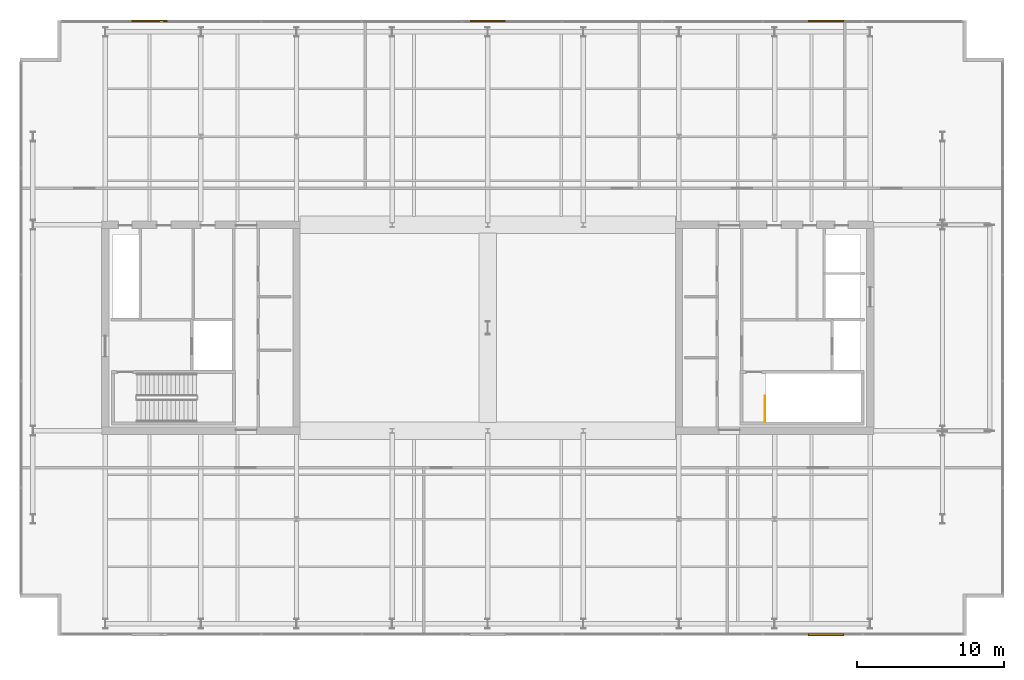
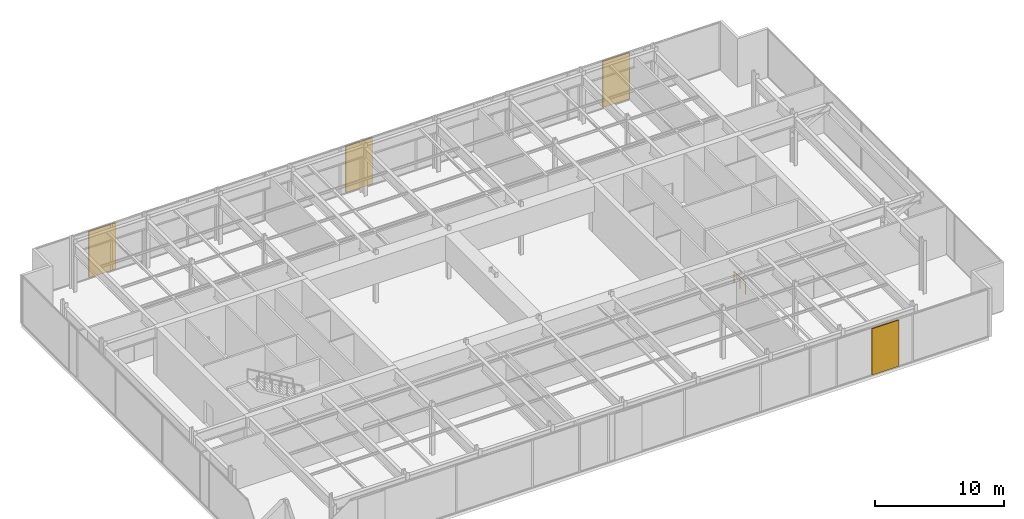
# One storey, part 21 of 21: 4 shading devices, 1 railing.
"""IFC4 building model written with IfcOpenShell, lengths in metres."""

import ifcopenshell
import ifcopenshell.guid

model = None  # the IFC model being written
_history = None  # IfcOwnerHistory: only IFC2X3 demands one
_inside = {}  # id of a spatial element -> (the spatial element, [elements in it])
_under = {}  # id of a project, library or spatial element -> (it, [spatial elements below it])
_declared = {}  # id of a project -> (the project, [libraries it declares])
_typed = {}  # id of a type object -> (the type object, [elements of that type])
_made_of = {}  # id of a material, layer set ... -> (it, [elements and type objects made of it])


def new_model(schema):
    """Start an empty IFC model of exactly this schema.

    Asked for "IFC4X3", IfcOpenShell would pick the latest addendum, in which some entities
    have other attributes; the version numbers below select the first issue.
    IFC2X3 requires an IfcOwnerHistory on every rooted entity: one is made here for all.
    """
    global model, _history
    if schema == "IFC4X3":
        model = ifcopenshell.file(schema_version=(4, 3, 0, 0))
    else:
        model = ifcopenshell.file(schema=schema)
    _inside.clear()
    _under.clear()
    _declared.clear()
    _typed.clear()
    _made_of.clear()
    _history = None
    if model.schema == "IFC2X3":
        org = make("IfcOrganization", Name="unknown")
        user = make(
            "IfcPersonAndOrganization",
            ThePerson=make("IfcPerson", FamilyName="unknown"),
            TheOrganization=org,
        )
        app = make(
            "IfcApplication",
            ApplicationDeveloper=org,
            Version="unknown",
            ApplicationFullName="unknown",
            ApplicationIdentifier="unknown",
        )
        _history = make(
            "IfcOwnerHistory",
            OwningUser=user,
            OwningApplication=app,
            ChangeAction="ADDED",
            CreationDate=0,
        )
    return model


def make(cls, **values):
    """One entity of the class cls with the attributes given. An attribute that is None is left unset."""
    return model.create_entity(
        cls, **{name: value for name, value in values.items() if value is not None}
    )


def rooted(cls, **values):
    """An entity with a GlobalId (a new one), such as an element, a storey or a relation."""
    return make(cls, GlobalId=ifcopenshell.guid.new(), OwnerHistory=_history, **values)


def si_unit(unit_type, name, prefix=None):
    """IfcSIUnit, for example si_unit("LENGTHUNIT", "METRE", prefix="MILLI")."""
    return make("IfcSIUnit", UnitType=unit_type, Prefix=prefix, Name=name)


def assignment(units):
    """IfcUnitAssignment: the units of a project."""
    return None if units is None else make("IfcUnitAssignment", Units=units)


def point(xyz):
    """IfcCartesianPoint."""
    return None if xyz is None else make("IfcCartesianPoint", Coordinates=xyz)


def direction(xyz):
    """IfcDirection."""
    return None if xyz is None else make("IfcDirection", DirectionRatios=xyz)


def frame(location, z_axis=None, x_axis=None):
    """IfcAxis2Placement3D, a coordinate frame: its origin and axes. An axis left out is left unset."""
    return make(
        "IfcAxis2Placement3D",
        Location=point(location),
        Axis=direction(z_axis),
        RefDirection=direction(x_axis),
    )


def frame_2d(location, x_axis=None):
    """IfcAxis2Placement2D, a coordinate frame in the plane: its origin and x axis."""
    return make(
        "IfcAxis2Placement2D", Location=point(location), RefDirection=direction(x_axis)
    )


def origin():
    """The frame at (0, 0, 0) with its axes left unset."""
    return frame((0.0, 0.0, 0.0))


def origin_2d():
    """The frame at (0, 0) in the plane with its x axis left unset."""
    return frame_2d((0.0, 0.0))


def place(relative_to, where):
    """IfcLocalPlacement: puts the frame where relative to a parent placement (None: the world)."""
    return make(
        "IfcLocalPlacement", PlacementRelTo=relative_to, RelativePlacement=where
    )


def context(
    kind, dimensions, precision=None, world=None, true_north=None, identifier=None
):
    """IfcGeometricRepresentationContext, for example the 3D "Model" context."""
    return make(
        "IfcGeometricRepresentationContext",
        ContextIdentifier=identifier,
        ContextType=kind,
        CoordinateSpaceDimension=dimensions,
        Precision=precision,
        WorldCoordinateSystem=world,
        TrueNorth=true_north,
    )


def subcontext(parent, identifier, kind, view, scale=None):
    """IfcGeometricRepresentationSubContext, for example "Body" below "Model"."""
    return make(
        "IfcGeometricRepresentationSubContext",
        ContextIdentifier=identifier,
        ContextType=kind,
        ParentContext=parent,
        TargetScale=scale,
        TargetView=view,
    )


def project(units=None, contexts=None):
    """IfcProject with its units and contexts."""
    return rooted(
        "IfcProject",
        Name="project",
        RepresentationContexts=contexts,
        UnitsInContext=assignment(units),
    )


def spatial(cls, under=None, at=None, **own):
    """A site, building, storey or space (cls), placed at a placement, below another one or the project."""
    s = rooted(cls, ObjectPlacement=at, **own)
    if under is not None:
        _under.setdefault(under.id(), (under, []))[1].append(s)
    return s


def profile(cls, at=None, kind="AREA", **sizes):
    """A parametric profile (cls). Its sizes go by their IFC names, for example OverallWidth=200.0."""
    return make(cls, ProfileType=kind, Position=at, **sizes)


def rectangle(**sizes):
    """IfcRectangleProfileDef."""
    return profile("IfcRectangleProfileDef", **sizes)


def circle(**sizes):
    """IfcCircleProfileDef."""
    return profile("IfcCircleProfileDef", **sizes)


def extrude(swept, where, along, depth):
    """IfcExtrudedAreaSolid: the profile swept, set in the frame where, extruded along a direction by depth."""
    return make(
        "IfcExtrudedAreaSolid",
        SweptArea=swept,
        Position=where,
        ExtrudedDirection=direction(along),
        Depth=depth,
    )


def shape(context_of_items, identifier, shape_type, items):
    """IfcShapeRepresentation: the items that make up one representation, for example the "Body"."""
    return make(
        "IfcShapeRepresentation",
        ContextOfItems=context_of_items,
        RepresentationIdentifier=identifier,
        RepresentationType=shape_type,
        Items=items,
    )


def material(Name=None, Category=None):
    """IfcMaterial."""
    return make("IfcMaterial", Name=Name, Category=Category)


def layer(
    of_material, thickness, ventilated=None, Name=None, Category=None, Priority=None
):
    """IfcMaterialLayer: one layer of a wall or slab, of a material (None: an air gap)."""
    return make(
        "IfcMaterialLayer",
        Material=of_material,
        LayerThickness=thickness,
        IsVentilated=ventilated,
        Name=Name,
        Category=Category,
        Priority=Priority,
    )


def layer_set(layers, Name=None):
    """IfcMaterialLayerSet."""
    return make("IfcMaterialLayerSet", MaterialLayers=layers, LayerSetName=Name)


def made_of(thing, what):
    """Note that an element or type object is made of a material, layer set ...; save() writes the relation."""
    if what is not None:
        _made_of.setdefault(what.id(), (what, []))[1].append(thing)
    return thing


def type_object(cls, material=None, **own):
    """A type object (cls), such as IfcWallType, which elements share."""
    return made_of(rooted(cls, **own), material)


def element(
    cls,
    number,
    at=None,
    inside=None,
    cuts=None,
    type_object=None,
    material=None,
    context=None,
    identifier="Body",
    shape_type=None,
    held_by="IfcProductDefinitionShape",
    body=None,
    shapes=None,
    **own,
):
    """One element of the class cls, such as IfcWall. Its Tag is "e" and its number.

    at: its placement. inside: the storey or other place that contains it. cuts: it is an
    opening in that element (IfcRelVoidsElement). A single representation is given by context,
    identifier, shape_type and body (its items); several are given by shapes. held_by: the class
    of the entity that holds the representations. save() writes the other relations.
    """
    e = rooted(cls, Tag="e%d" % number, ObjectPlacement=at, **own)
    if body is not None:
        shapes = [shape(context, identifier, shape_type, body)]
    if shapes is not None:
        e.Representation = make(held_by, Representations=shapes)
    if inside is not None:
        _inside.setdefault(inside.id(), (inside, []))[1].append(e)
    if cuts is not None:
        rooted(
            "IfcRelVoidsElement", RelatingBuildingElement=cuts, RelatedOpeningElement=e
        )
    if type_object is not None:
        _typed.setdefault(type_object.id(), (type_object, []))[1].append(e)
    return made_of(e, material)


def aggregate(whole, parts):
    """IfcRelAggregates: a whole, such as a stair, and the parts it consists of."""
    return rooted("IfcRelAggregates", RelatingObject=whole, RelatedObjects=parts)


def save(model, path):
    """Write the relations noted so far, then the file.

    IfcRelAggregates (storeys below a building ...), IfcRelContainedInSpatialStructure (elements
    in a storey), IfcRelDefinesByType, IfcRelAssociatesMaterial and IfcRelDeclares: one each for
    every whole, place, type object, material and project.
    """
    for whole, parts in _under.values():
        aggregate(whole, parts)
    for where, things in _inside.values():
        rooted(
            "IfcRelContainedInSpatialStructure",
            RelatedElements=things,
            RelatingStructure=where,
        )
    for kind, things in _typed.values():
        rooted("IfcRelDefinesByType", RelatedObjects=things, RelatingType=kind)
    for what, things in _made_of.values():
        rooted("IfcRelAssociatesMaterial", RelatedObjects=things, RelatingMaterial=what)
    for by, libraries in _declared.values():
        rooted("IfcRelDeclares", RelatingContext=by, RelatedDefinitions=libraries)
    model.write(path)


model = new_model("IFC4")

# Units and contexts
model_context = context("Model", 3, precision=1e-05, world=origin(), true_north=direction((0.0, 1.0)))
body_context = subcontext(model_context, "Body", "Model", "MODEL_VIEW")
ifc_project = project(units=[si_unit("LENGTHUNIT", "METRE"), si_unit("AREAUNIT", "SQUARE_METRE"), si_unit("VOLUMEUNIT", "CUBIC_METRE"), si_unit("PLANEANGLEUNIT", "RADIAN"), si_unit("MASSUNIT", "GRAM", prefix="KILO")], contexts=[model_context])

# Site, building, storey
site_placement = place(None, origin())
site = spatial("IfcSite", under=ifc_project, at=site_placement, CompositionType="ELEMENT")
building_placement = place(site_placement, origin())
building = spatial("IfcBuilding", under=site, at=building_placement, Name="Putna Gate Headquarters", CompositionType="ELEMENT")
storey_placement = place(building_placement, frame((0.0, 0.0, 315.39990234375)))
storey = spatial("IfcBuildingStorey", under=building, at=storey_placement, Name="L79", CompositionType="ELEMENT", Elevation=315.39990234375)

# Railing
ifc_material_1 = material(Name="Powder-coated steel stair guardrail", Category="steel")
railing_type = type_object("IfcRailingType", Name="RAIL-STAIR-GUARD-1100", PredefinedType="GUARDRAIL", material=ifc_material_1)
railing_placement = place(storey_placement, frame((57.85009765625, 19.60009765625, 0.0)))
element("IfcRailing", 1, at=railing_placement, inside=storey, type_object=railing_type, Name="L79 ST2 top well guard 1", PredefinedType="GUARDRAIL", context=body_context, shape_type="SweptSolid", body=[
    extrude(circle(Radius=0.02392578125, at=origin_2d()), frame((0.0, 0.0, 1.076171875), z_axis=(0.0, 1.0, 0.0), x_axis=(-1.0, 0.0, 0.0)), (0.0, 0.0, 1.0), 1.75),
    extrude(circle(Radius=0.02099609375, at=origin_2d()), origin(), (0.0, 0.0, 1.0), 1.052001953125),
    extrude(circle(Radius=0.02099609375, at=origin_2d()), frame((0.0, 0.875, 0.0)), (0.0, 0.0, 1.0), 1.052001953125),
    extrude(circle(Radius=0.02099609375, at=origin_2d()), frame((0.0, 1.75, 0.0)), (0.0, 0.0, 1.0), 1.052001953125),
])

# Shading devices
ifc_material_2 = material(Name="Anodised bronze acoustic weather louvre", Category="aluminium")
ifc_layer = layer(ifc_material_2, 0.1201171875)
ifc_layer_set = layer_set([ifc_layer], Name="Anodised bronze acoustic weather louvre")
shading_device_type = type_object("IfcShadingDeviceType", Name="SHADE-PLANT-LOUVRE", PredefinedType="JALOUSIE", material=ifc_layer_set)
for number, where, z_axis, x_axis, name in (
    (2, (16.0, 46.8701171875, 0.10009765625), (0.0, 0.0, 1.0), (1.0, 0.0, 0.0), "L79 Bronze Acoustic Louvre N1"),
    (3, (39.0, 46.8701171875, 0.10009765625), (0.0, 0.0, 1.0), (1.0, 0.0, 0.0), "L79 Bronze Acoustic Louvre N2"),
    (4, (62.0, 5.1298828125, 0.10009765625), (0.0, 0.0, 1.0), (1.0, 0.0, 0.0), "L79 Bronze Acoustic Louvre S3"),
    (5, (62.0, 46.8701171875, 0.10009765625), (0.0, 0.0, 1.0), (1.0, 0.0, 0.0), "L79 Bronze Acoustic Louvre N3"),
):
    element("IfcShadingDevice", number, at=place(storey_placement, frame(where, z_axis=z_axis, x_axis=x_axis)), inside=storey, type_object=shading_device_type, Name=name, PredefinedType="JALOUSIE", context=body_context, shape_type="SweptSolid", body=[
        extrude(rectangle(XDim=2.39990234375, YDim=0.1201171875, at=origin_2d()), origin(), (0.0, 0.0, 1.0), 4.3798828125),
    ])

save(model, "model.ifc")
